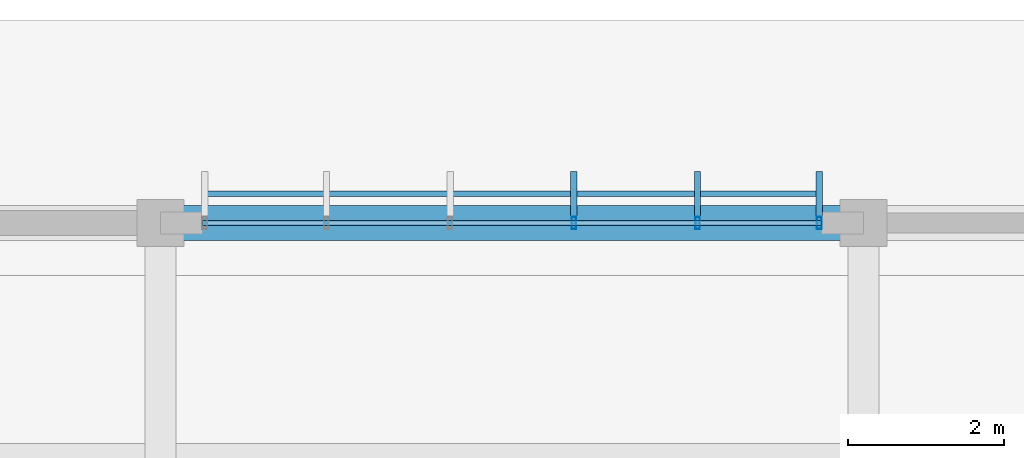
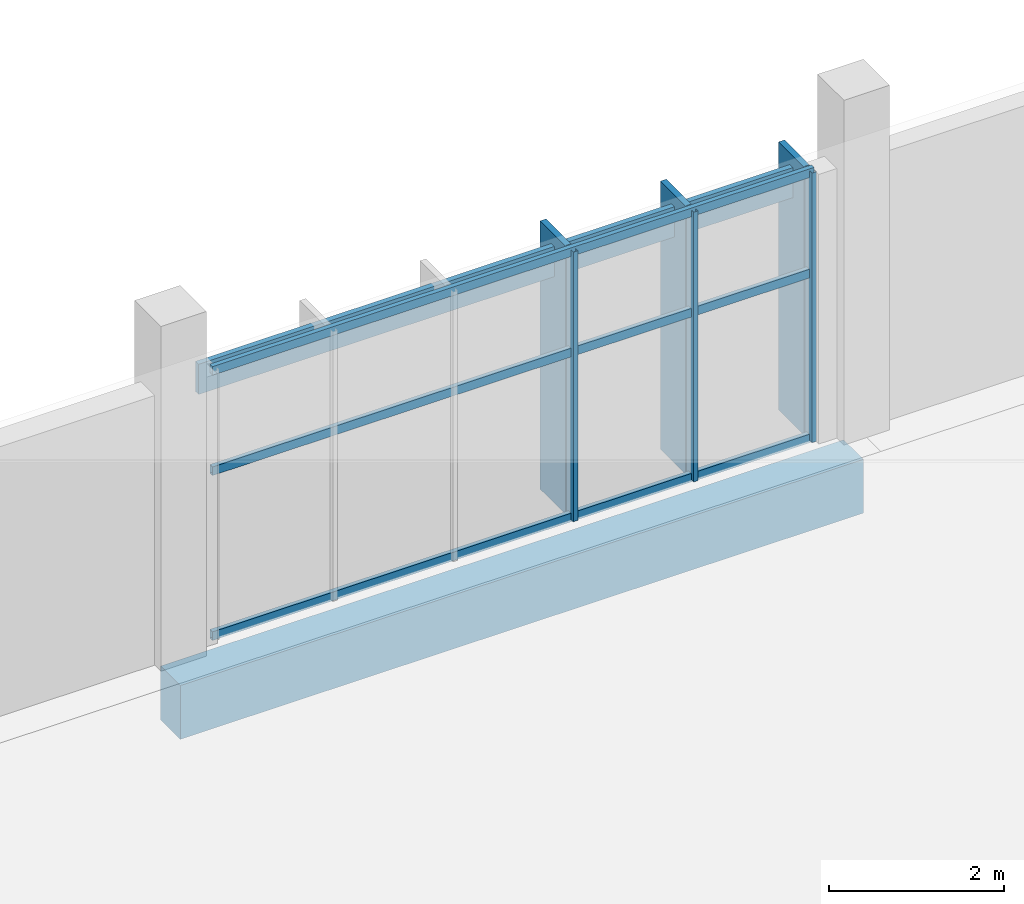
# One storey, part 100 of 151: 10 members, 1 beam, 1 element without a shape of its own.
"""IFC4 building model written with IfcOpenShell, lengths in metres."""

from ifc_helpers import new_model, si_unit, direction, frame, origin, origin_2d, place, context, subcontext, project, spatial, rectangle, hollow_rectangle, extrude, material, material_profile, profile_set, type_object, element, aggregate, save


model = new_model("IFC4")

# Units and contexts
model_context = context("Model", 3, precision=1e-05, world=origin(), true_north=direction((0.0, 1.0)))
body_context = subcontext(model_context, "Body", "Model", "MODEL_VIEW")
ifc_project = project(units=[si_unit("LENGTHUNIT", "METRE"), si_unit("AREAUNIT", "SQUARE_METRE"), si_unit("VOLUMEUNIT", "CUBIC_METRE"), si_unit("PLANEANGLEUNIT", "RADIAN"), si_unit("MASSUNIT", "GRAM", prefix="KILO")], contexts=[model_context])

# Site, building, storey
site_placement = place(None, origin())
site = spatial("IfcSite", under=ifc_project, at=site_placement, CompositionType="ELEMENT")
building_placement = place(site_placement, origin())
building = spatial("IfcBuilding", under=site, at=building_placement, Name="Chiffa Square Polytechnic", CompositionType="ELEMENT")
storey_placement = place(building_placement, origin())
storey = spatial("IfcBuildingStorey", under=building, at=storey_placement, Name="L00", CompositionType="ELEMENT", Elevation=0.0)

# Beam
ifc_material_1 = material(Name="Concrete C35/45", Category="concrete")
ifc_material_profile_1 = material_profile(ifc_material_1, rectangle(XDim=0.449951171875, YDim=0.75, at=origin_2d()), Name="RC 450x750")
ifc_profile_set_1 = profile_set([ifc_material_profile_1], Name="Concrete C35/45")
beam_type = type_object("IfcBeamType", Name="BM-RC-450X750", PredefinedType="BEAM", material=ifc_profile_set_1)
beam_placement = place(storey_placement, frame((75.60009765625, 130.800048828125, -0.72509765625), z_axis=(1.0, 0.0, 0.0), x_axis=(0.0, 1.0, 0.0)))
element("IfcBeam", 1, at=beam_placement, inside=storey, type_object=beam_type, Name="Primary floor girder BM-V5-L00-X-0756-1308", PredefinedType="BEAM", context=body_context, shape_type="SweptSolid", body=[
    extrude(rectangle(XDim=0.449951171875, YDim=0.75, at=origin_2d()), origin(), (0.0, 0.0, 1.0), 9.0),
])

# Curtain wall, members
ifc_material_2 = material(Name="Aluminium EN AW-6060 T66 and glulam shading", Category="wood")
curtain_wall_type = type_object("IfcCurtainWallType", Name="CW-VERT-600X440", PredefinedType="USERDEFINED", material=ifc_material_2)
curtain_wall_placement = place(storey_placement, origin())
curtain_wall = element("IfcCurtainWall", 2, at=curtain_wall_placement, inside=storey, type_object=curtain_wall_type, Name="Curtain wall CW-V5-L00-193", ObjectType="CURTAIN WALL", PredefinedType="USERDEFINED")
ifc_material_3 = material(Name="Aluminium EN AW-6060 T66", Category="aluminium")
ifc_material_profile_2 = material_profile(ifc_material_3, hollow_rectangle(XDim=0.06005859375, YDim=0.159912109375, WallThickness=0.00390625, at=origin_2d()), Name="ALU 60x160x4")
ifc_profile_set_2 = profile_set([ifc_material_profile_2], Name="Aluminium EN AW-6060 T66")
member_type_1 = type_object("IfcMemberType", Name="CWM-ALU-65X150", PredefinedType="MULLION", material=ifc_profile_set_2)
member_1_placement = place(storey_placement, frame((84.034912109375, 130.800048828125, 0.0), z_axis=(0.0, 0.0, 1.0), x_axis=(1.0, 0.0, 0.0)))
member_1 = element("IfcMember", 3, at=member_1_placement, type_object=member_type_1, Name="Curtain wall mullion CW-V5-L00-193-M00", PredefinedType="MULLION", context=body_context, shape_type="SweptSolid", body=[
    extrude(hollow_rectangle(XDim=0.06005859375, YDim=0.159912109375, WallThickness=0.00390625, at=origin_2d()), origin(), (0.0, 0.0, 1.0), 3.7548828125),
])
member_2_placement = place(storey_placement, frame((82.47607421875, 130.800048828125, 0.0), z_axis=(0.0, 0.0, 1.0), x_axis=(1.0, 0.0, 0.0)))
member_2 = element("IfcMember", 4, at=member_2_placement, type_object=member_type_1, Name="Curtain wall mullion CW-V5-L00-193-M01", PredefinedType="MULLION", context=body_context, shape_type="SweptSolid", body=[
    extrude(hollow_rectangle(XDim=0.06005859375, YDim=0.159912109375, WallThickness=0.00390625, at=origin_2d()), origin(), (0.0, 0.0, 1.0), 3.7548828125),
])
member_3_placement = place(storey_placement, frame((80.89208984375, 130.800048828125, 0.0), z_axis=(0.0, 0.0, 1.0), x_axis=(1.0, 0.0, 0.0)))
member_3 = element("IfcMember", 5, at=member_3_placement, type_object=member_type_1, Name="Curtain wall mullion CW-V5-L00-193-M02", PredefinedType="MULLION", context=body_context, shape_type="SweptSolid", body=[
    extrude(hollow_rectangle(XDim=0.06005859375, YDim=0.159912109375, WallThickness=0.00390625, at=origin_2d()), origin(), (0.0, 0.0, 1.0), 3.7548828125),
])
ifc_material_4 = material(Name="Glulam GL28h", Category="wood")
ifc_material_profile_3 = material_profile(ifc_material_4, rectangle(XDim=0.080078125, YDim=0.580078125, at=origin_2d()), Name="GL28h 80x580")
ifc_profile_set_3 = profile_set([ifc_material_profile_3], Name="Glulam GL28h")
member_type_2 = type_object("IfcMemberType", Name="CWM-GL-80X580", PredefinedType="MULLION", material=ifc_profile_set_3)
member_4_placement = place(storey_placement, frame((84.034912109375, 131.172119140625, 0.010009765625), z_axis=(0.0, 0.0, 1.0), x_axis=(-1.0, 0.0, 0.0)))
member_4 = element("IfcMember", 6, at=member_4_placement, type_object=member_type_2, Name="Exterior glulam solar fin CW-V5-L00-193-FN00", PredefinedType="MULLION", context=body_context, shape_type="SweptSolid", body=[
    extrude(rectangle(XDim=0.080078125, YDim=0.580078125, at=origin_2d()), origin(), (0.0, 0.0, 1.0), 3.735107421875),
])
member_5_placement = place(storey_placement, frame((82.47607421875, 131.172119140625, 0.010009765625), z_axis=(0.0, 0.0, 1.0), x_axis=(-1.0, 0.0, 0.0)))
member_5 = element("IfcMember", 7, at=member_5_placement, type_object=member_type_2, Name="Exterior glulam solar fin CW-V5-L00-193-FN01", PredefinedType="MULLION", context=body_context, shape_type="SweptSolid", body=[
    extrude(rectangle(XDim=0.080078125, YDim=0.580078125, at=origin_2d()), origin(), (0.0, 0.0, 1.0), 3.735107421875),
])
member_6_placement = place(storey_placement, frame((80.89208984375, 131.172119140625, 0.010009765625), z_axis=(0.0, 0.0, 1.0), x_axis=(-1.0, 0.0, 0.0)))
member_6 = element("IfcMember", 8, at=member_6_placement, type_object=member_type_2, Name="Exterior glulam solar fin CW-V5-L00-193-FN02", PredefinedType="MULLION", context=body_context, shape_type="SweptSolid", body=[
    extrude(rectangle(XDim=0.080078125, YDim=0.580078125, at=origin_2d()), origin(), (0.0, 0.0, 1.0), 3.735107421875),
])
ifc_material_profile_4 = material_profile(ifc_material_3, hollow_rectangle(XDim=0.06005859375, YDim=0.1201171875, WallThickness=0.00390625, at=origin_2d()), Name="ALU 60x120x4")
ifc_profile_set_4 = profile_set([ifc_material_profile_4], Name="Aluminium EN AW-6060 T66")
member_type_3 = type_object("IfcMemberType", Name="CWT-ALU-65X120", PredefinedType="USERDEFINED", material=ifc_profile_set_4)
member_7_placement = place(storey_placement, frame((84.06201171875, 130.800048828125, 0.030029296875), z_axis=(-1.0, 0.0, 0.0), x_axis=(0.0, -1.0, 0.0)))
member_7 = element("IfcMember", 9, at=member_7_placement, type_object=member_type_3, Name="Curtain wall transom CW-V5-L00-193-T01", ObjectType="TRANSOM", PredefinedType="USERDEFINED", context=body_context, shape_type="SweptSolid", body=[
    extrude(hollow_rectangle(XDim=0.06005859375, YDim=0.1201171875, WallThickness=0.00390625, at=origin_2d()), origin(), (0.0, 0.0, 1.0), 7.924072265625),
])
member_8_placement = place(storey_placement, frame((84.06201171875, 130.800048828125, 2.327880859375), z_axis=(-1.0, 0.0, 0.0), x_axis=(0.0, -1.0, 0.0)))
member_8 = element("IfcMember", 10, at=member_8_placement, type_object=member_type_3, Name="Curtain wall transom CW-V5-L00-193-T02", ObjectType="TRANSOM", PredefinedType="USERDEFINED", context=body_context, shape_type="SweptSolid", body=[
    extrude(hollow_rectangle(XDim=0.06005859375, YDim=0.1201171875, WallThickness=0.00390625, at=origin_2d()), origin(), (0.0, 0.0, 1.0), 7.924072265625),
])
member_9_placement = place(storey_placement, frame((84.06201171875, 130.800048828125, 3.72509765625), z_axis=(-1.0, 0.0, 0.0), x_axis=(0.0, -1.0, 0.0)))
member_9 = element("IfcMember", 11, at=member_9_placement, type_object=member_type_3, Name="Curtain wall transom CW-V5-L00-193-T03", ObjectType="TRANSOM", PredefinedType="USERDEFINED", context=body_context, shape_type="SweptSolid", body=[
    extrude(hollow_rectangle(XDim=0.06005859375, YDim=0.1201171875, WallThickness=0.00390625, at=origin_2d()), origin(), (0.0, 0.0, 1.0), 7.924072265625),
])
ifc_material_profile_5 = material_profile(ifc_material_4, rectangle(XDim=0.070068359375, YDim=0.419921875, at=origin_2d()), Name="GL28h 70x420")
ifc_profile_set_5 = profile_set([ifc_material_profile_5], Name="Glulam GL28h")
member_type_4 = type_object("IfcMemberType", Name="CWT-GL-70X420", PredefinedType="USERDEFINED", material=ifc_profile_set_5)
member_10_placement = place(storey_placement, frame((84.034912109375, 131.172119140625, 3.375), z_axis=(-1.0, 0.0, 0.0), x_axis=(0.0, -1.0, 0.0)))
member_10 = element("IfcMember", 12, at=member_10_placement, type_object=member_type_4, Name="Exterior glulam brise-soleil CW-V5-L00-193-BS01", ObjectType="TRANSOM", PredefinedType="USERDEFINED", context=body_context, shape_type="SweptSolid", body=[
    extrude(rectangle(XDim=0.070068359375, YDim=0.419921875, at=origin_2d()), origin(), (0.0, 0.0, 1.0), 7.869873046875),
])
aggregate(curtain_wall, [member_1, member_4, member_2, member_5, member_3, member_6, member_7, member_8, member_9, member_10])

save(model, "model.ifc")
